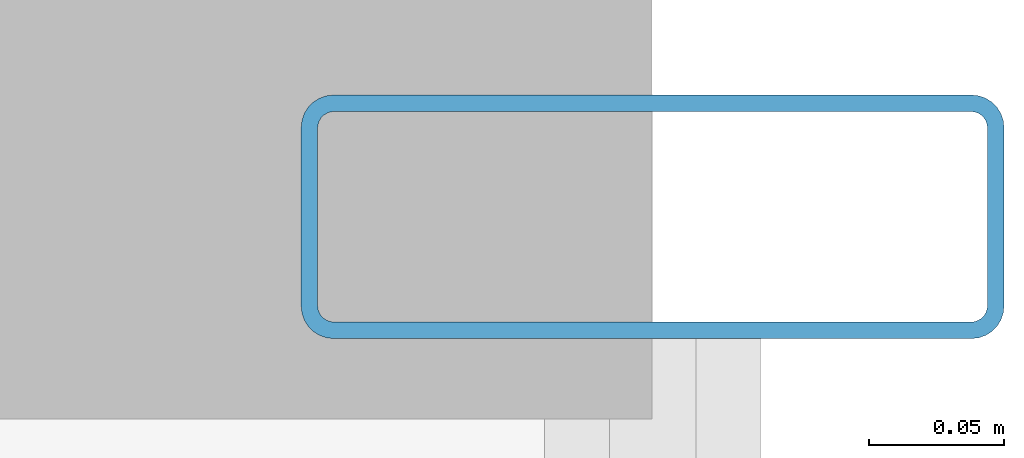
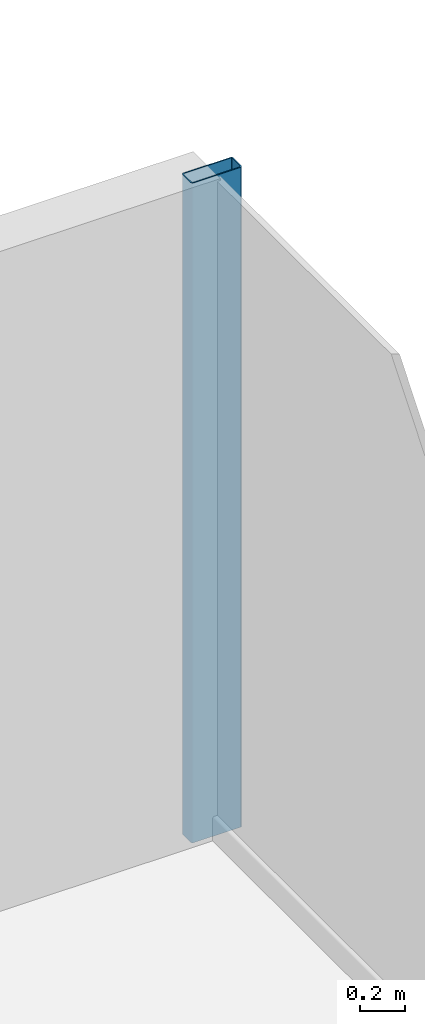
# One storey, part 18 of 27: 1 member, 1 element without a shape of its own.
"""IFC4 building model written with IfcOpenShell, lengths in metres."""

from ifc_helpers import new_model, si_unit, direction, frame, origin, origin_2d, place, context, subcontext, project, spatial, hollow_rectangle, extrude, source, transform, mapped, material, layer, layer_set, material_profile, profile_set, type_object, element, aggregate, save


model = new_model("IFC4")

# Units and contexts
model_context = context("Model", 3, precision=1e-05, world=origin(), true_north=direction((0.0, 1.0)))
body_context = subcontext(model_context, "Body", "Model", "MODEL_VIEW")
ifc_project = project(units=[si_unit("LENGTHUNIT", "METRE"), si_unit("AREAUNIT", "SQUARE_METRE"), si_unit("VOLUMEUNIT", "CUBIC_METRE"), si_unit("PLANEANGLEUNIT", "RADIAN"), si_unit("MASSUNIT", "GRAM", prefix="KILO")], contexts=[model_context])

# Site, building, storey
site_placement = place(None, origin())
site = spatial("IfcSite", under=ifc_project, at=site_placement, CompositionType="ELEMENT")
building_placement = place(site_placement, origin())
building = spatial("IfcBuilding", under=site, at=building_placement, Name="Nefas-Gora Pilgrimage Tower", CompositionType="ELEMENT")
storey_placement = place(building_placement, frame((0.0, 0.0, 48.199951171875)))
storey = spatial("IfcBuildingStorey", under=building, at=storey_placement, Name="L10", CompositionType="ELEMENT", Elevation=48.199951171875)

# Curtain wall, member
ifc_material_1 = material(Name="Dark ceramic-fritted solar-control aluminium-glass curtain wall", Category="aluminium")
ifc_layer = layer(ifc_material_1, 0.219970703125)
ifc_layer_set = layer_set([ifc_layer], Name="Dark ceramic-fritted solar-control aluminium-glass curtain wall")
curtain_wall_type = type_object("IfcCurtainWallType", Name="CW-SYS-2", PredefinedType="NOTDEFINED", material=ifc_layer_set)
curtain_wall_placement = place(storey_placement, origin())
curtain_wall = element("IfcCurtainWall", 1, at=curtain_wall_placement, inside=storey, type_object=curtain_wall_type, Name="L10 Unitised Curtain Wall CW2", PredefinedType="NOTDEFINED")
ifc_material_2 = material(Name="Anodised architectural aluminium", Category="aluminium")
ifc_material_profile = material_profile(ifc_material_2, hollow_rectangle(XDim=0.090087890625, YDim=0.260009765625, WallThickness=0.006103515625, InnerFilletRadius=0.006103515625, OuterFilletRadius=0.011962890625, at=origin_2d()), Name="ALU MULLION 90x260")
ifc_profile_set = profile_set([ifc_material_profile], Name="Anodised architectural aluminium")
member_type = type_object("IfcMemberType", Name="CWM-MUL-2", PredefinedType="MULLION", material=ifc_profile_set)
shared_shape = source(origin(), body_context, "Body", "SweptSolid", [
    extrude(hollow_rectangle(XDim=0.090087890625, YDim=0.260009765625, WallThickness=0.006103515625, InnerFilletRadius=0.006103515625, OuterFilletRadius=0.011962890625, at=origin_2d()), origin(), (0.0, 0.0, 1.0), 3.550048828125),
])
member_placement = place(storey_placement, frame((34.27001953125, 17.574951171875, 0.0), z_axis=(0.0, 0.0, 1.0), x_axis=(0.0, 1.0, 0.0)))
member = element("IfcMember", 2, at=member_placement, type_object=member_type, Name="CW2 Mullion 2", PredefinedType="MULLION", context=body_context, shape_type="MappedRepresentation", body=[
    mapped(shared_shape, transform((0.0, 0.0, 0.0), x_axis=(1.0, 0.0, 0.0), y_axis=(0.0, 1.0, 0.0), z_axis=(0.0, 0.0, 1.0), scale=1.0)),
])
aggregate(curtain_wall, [member])

save(model, "model.ifc")
